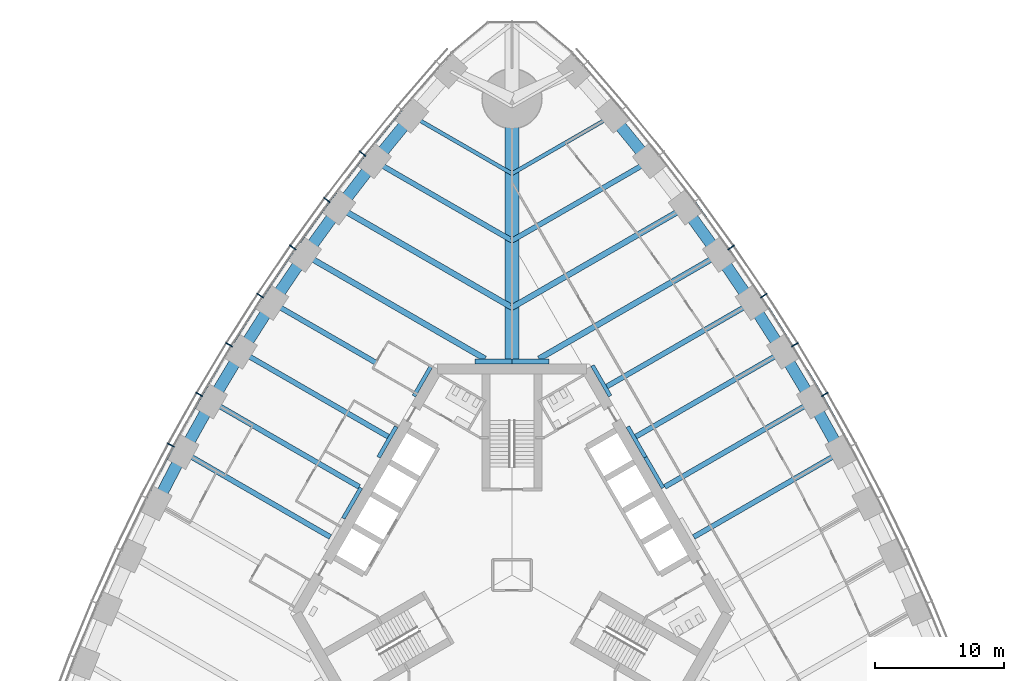
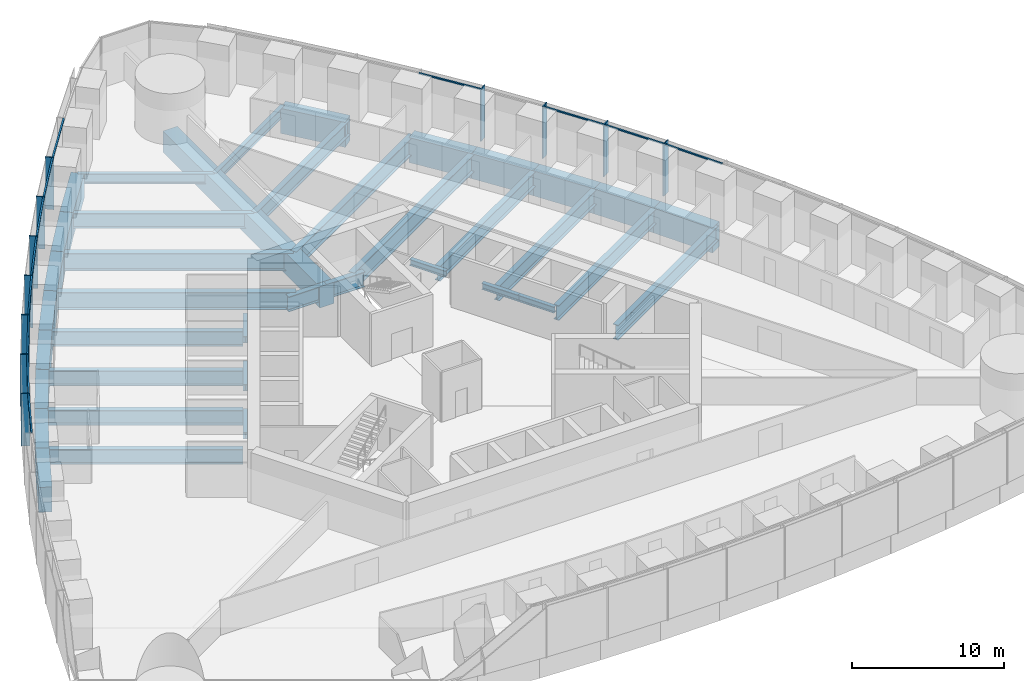
# One storey, part 4 of 18: 39 beams, 23 members, 2 elements without a shape of their own.
"""IFC4 building model written with IfcOpenShell, lengths in metres."""

import ifcopenshell
import ifcopenshell.guid

model = None  # the IFC model being written
_history = None  # IfcOwnerHistory: only IFC2X3 demands one
_inside = {}  # id of a spatial element -> (the spatial element, [elements in it])
_under = {}  # id of a project, library or spatial element -> (it, [spatial elements below it])
_declared = {}  # id of a project -> (the project, [libraries it declares])
_typed = {}  # id of a type object -> (the type object, [elements of that type])
_made_of = {}  # id of a material, layer set ... -> (it, [elements and type objects made of it])


def new_model(schema):
    """Start an empty IFC model of exactly this schema.

    Asked for "IFC4X3", IfcOpenShell would pick the latest addendum, in which some entities
    have other attributes; the version numbers below select the first issue.
    IFC2X3 requires an IfcOwnerHistory on every rooted entity: one is made here for all.
    """
    global model, _history
    if schema == "IFC4X3":
        model = ifcopenshell.file(schema_version=(4, 3, 0, 0))
    else:
        model = ifcopenshell.file(schema=schema)
    _inside.clear()
    _under.clear()
    _declared.clear()
    _typed.clear()
    _made_of.clear()
    _history = None
    if model.schema == "IFC2X3":
        org = make("IfcOrganization", Name="unknown")
        user = make(
            "IfcPersonAndOrganization",
            ThePerson=make("IfcPerson", FamilyName="unknown"),
            TheOrganization=org,
        )
        app = make(
            "IfcApplication",
            ApplicationDeveloper=org,
            Version="unknown",
            ApplicationFullName="unknown",
            ApplicationIdentifier="unknown",
        )
        _history = make(
            "IfcOwnerHistory",
            OwningUser=user,
            OwningApplication=app,
            ChangeAction="ADDED",
            CreationDate=0,
        )
    return model


def make(cls, **values):
    """One entity of the class cls with the attributes given. An attribute that is None is left unset."""
    return model.create_entity(
        cls, **{name: value for name, value in values.items() if value is not None}
    )


def rooted(cls, **values):
    """An entity with a GlobalId (a new one), such as an element, a storey or a relation."""
    return make(cls, GlobalId=ifcopenshell.guid.new(), OwnerHistory=_history, **values)


def si_unit(unit_type, name, prefix=None):
    """IfcSIUnit, for example si_unit("LENGTHUNIT", "METRE", prefix="MILLI")."""
    return make("IfcSIUnit", UnitType=unit_type, Prefix=prefix, Name=name)


def assignment(units):
    """IfcUnitAssignment: the units of a project."""
    return None if units is None else make("IfcUnitAssignment", Units=units)


def point(xyz):
    """IfcCartesianPoint."""
    return None if xyz is None else make("IfcCartesianPoint", Coordinates=xyz)


def direction(xyz):
    """IfcDirection."""
    return None if xyz is None else make("IfcDirection", DirectionRatios=xyz)


def frame(location, z_axis=None, x_axis=None):
    """IfcAxis2Placement3D, a coordinate frame: its origin and axes. An axis left out is left unset."""
    return make(
        "IfcAxis2Placement3D",
        Location=point(location),
        Axis=direction(z_axis),
        RefDirection=direction(x_axis),
    )


def frame_2d(location, x_axis=None):
    """IfcAxis2Placement2D, a coordinate frame in the plane: its origin and x axis."""
    return make(
        "IfcAxis2Placement2D", Location=point(location), RefDirection=direction(x_axis)
    )


def origin():
    """The frame at (0, 0, 0) with its axes left unset."""
    return frame((0.0, 0.0, 0.0))


def origin_2d():
    """The frame at (0, 0) in the plane with its x axis left unset."""
    return frame_2d((0.0, 0.0))


def place(relative_to, where):
    """IfcLocalPlacement: puts the frame where relative to a parent placement (None: the world)."""
    return make(
        "IfcLocalPlacement", PlacementRelTo=relative_to, RelativePlacement=where
    )


def context(
    kind, dimensions, precision=None, world=None, true_north=None, identifier=None
):
    """IfcGeometricRepresentationContext, for example the 3D "Model" context."""
    return make(
        "IfcGeometricRepresentationContext",
        ContextIdentifier=identifier,
        ContextType=kind,
        CoordinateSpaceDimension=dimensions,
        Precision=precision,
        WorldCoordinateSystem=world,
        TrueNorth=true_north,
    )


def subcontext(parent, identifier, kind, view, scale=None):
    """IfcGeometricRepresentationSubContext, for example "Body" below "Model"."""
    return make(
        "IfcGeometricRepresentationSubContext",
        ContextIdentifier=identifier,
        ContextType=kind,
        ParentContext=parent,
        TargetScale=scale,
        TargetView=view,
    )


def project(units=None, contexts=None):
    """IfcProject with its units and contexts."""
    return rooted(
        "IfcProject",
        Name="project",
        RepresentationContexts=contexts,
        UnitsInContext=assignment(units),
    )


def spatial(cls, under=None, at=None, **own):
    """A site, building, storey or space (cls), placed at a placement, below another one or the project."""
    s = rooted(cls, ObjectPlacement=at, **own)
    if under is not None:
        _under.setdefault(under.id(), (under, []))[1].append(s)
    return s


def profile(cls, at=None, kind="AREA", **sizes):
    """A parametric profile (cls). Its sizes go by their IFC names, for example OverallWidth=200.0."""
    return make(cls, ProfileType=kind, Position=at, **sizes)


def rectangle(**sizes):
    """IfcRectangleProfileDef."""
    return profile("IfcRectangleProfileDef", **sizes)


def i_section(**sizes):
    """IfcIShapeProfileDef."""
    return profile("IfcIShapeProfileDef", **sizes)


def extrude(swept, where, along, depth):
    """IfcExtrudedAreaSolid: the profile swept, set in the frame where, extruded along a direction by depth."""
    return make(
        "IfcExtrudedAreaSolid",
        SweptArea=swept,
        Position=where,
        ExtrudedDirection=direction(along),
        Depth=depth,
    )


def shape(context_of_items, identifier, shape_type, items):
    """IfcShapeRepresentation: the items that make up one representation, for example the "Body"."""
    return make(
        "IfcShapeRepresentation",
        ContextOfItems=context_of_items,
        RepresentationIdentifier=identifier,
        RepresentationType=shape_type,
        Items=items,
    )


def material(Name=None, Category=None):
    """IfcMaterial."""
    return make("IfcMaterial", Name=Name, Category=Category)


def material_profile(
    of_material, cross_section, Name=None, Category=None, Priority=None
):
    """IfcMaterialProfile: a cross section and its material."""
    return make(
        "IfcMaterialProfile",
        Name=Name,
        Material=of_material,
        Profile=cross_section,
        Priority=Priority,
        Category=Category,
    )


def profile_set(profiles, Name=None, composite=None):
    """IfcMaterialProfileSet."""
    return make(
        "IfcMaterialProfileSet",
        Name=Name,
        MaterialProfiles=profiles,
        CompositeProfile=composite,
    )


def made_of(thing, what):
    """Note that an element or type object is made of a material, layer set ...; save() writes the relation."""
    if what is not None:
        _made_of.setdefault(what.id(), (what, []))[1].append(thing)
    return thing


def type_object(cls, material=None, **own):
    """A type object (cls), such as IfcWallType, which elements share."""
    return made_of(rooted(cls, **own), material)


def element(
    cls,
    number,
    at=None,
    inside=None,
    cuts=None,
    type_object=None,
    material=None,
    context=None,
    identifier="Body",
    shape_type=None,
    held_by="IfcProductDefinitionShape",
    body=None,
    shapes=None,
    **own,
):
    """One element of the class cls, such as IfcWall. Its Tag is "e" and its number.

    at: its placement. inside: the storey or other place that contains it. cuts: it is an
    opening in that element (IfcRelVoidsElement). A single representation is given by context,
    identifier, shape_type and body (its items); several are given by shapes. held_by: the class
    of the entity that holds the representations. save() writes the other relations.
    """
    e = rooted(cls, Tag="e%d" % number, ObjectPlacement=at, **own)
    if body is not None:
        shapes = [shape(context, identifier, shape_type, body)]
    if shapes is not None:
        e.Representation = make(held_by, Representations=shapes)
    if inside is not None:
        _inside.setdefault(inside.id(), (inside, []))[1].append(e)
    if cuts is not None:
        rooted(
            "IfcRelVoidsElement", RelatingBuildingElement=cuts, RelatedOpeningElement=e
        )
    if type_object is not None:
        _typed.setdefault(type_object.id(), (type_object, []))[1].append(e)
    return made_of(e, material)


def aggregate(whole, parts):
    """IfcRelAggregates: a whole, such as a stair, and the parts it consists of."""
    return rooted("IfcRelAggregates", RelatingObject=whole, RelatedObjects=parts)


def save(model, path):
    """Write the relations noted so far, then the file.

    IfcRelAggregates (storeys below a building ...), IfcRelContainedInSpatialStructure (elements
    in a storey), IfcRelDefinesByType, IfcRelAssociatesMaterial and IfcRelDeclares: one each for
    every whole, place, type object, material and project.
    """
    for whole, parts in _under.values():
        aggregate(whole, parts)
    for where, things in _inside.values():
        rooted(
            "IfcRelContainedInSpatialStructure",
            RelatedElements=things,
            RelatingStructure=where,
        )
    for kind, things in _typed.values():
        rooted("IfcRelDefinesByType", RelatedObjects=things, RelatingType=kind)
    for what, things in _made_of.values():
        rooted("IfcRelAssociatesMaterial", RelatedObjects=things, RelatingMaterial=what)
    for by, libraries in _declared.values():
        rooted("IfcRelDeclares", RelatingContext=by, RelatedDefinitions=libraries)
    model.write(path)


model = new_model("IFC4")

# Units and contexts
model_context = context("Model", 3, precision=1e-05, world=origin(), true_north=direction((0.0, 1.0)))
body_context = subcontext(model_context, "Body", "Model", "MODEL_VIEW")
ifc_project = project(units=[si_unit("LENGTHUNIT", "METRE"), si_unit("AREAUNIT", "SQUARE_METRE"), si_unit("VOLUMEUNIT", "CUBIC_METRE"), si_unit("PLANEANGLEUNIT", "RADIAN"), si_unit("MASSUNIT", "GRAM", prefix="KILO")], contexts=[model_context])

# Site, building, storey
site_placement = place(None, origin())
site = spatial("IfcSite", under=ifc_project, at=site_placement, CompositionType="ELEMENT")
building_placement = place(site_placement, origin())
building = spatial("IfcBuilding", under=site, at=building_placement, Name="Trefoil Bronze Tower", CompositionType="ELEMENT")
storey_placement = place(building_placement, frame((0.0, 0.0, 62.699951171875)))
storey = spatial("IfcBuildingStorey", under=building, at=storey_placement, Name="L14", CompositionType="ELEMENT", Elevation=62.699951171875)

# Curtain wall, members
ifc_material_1 = material(Name="Tinted solar-control glass", Category="glass")
curtain_wall_type = type_object("IfcCurtainWallType", Name="Bronze office curtain wall", PredefinedType="USERDEFINED", material=ifc_material_1)
curtain_wall_1_placement = place(storey_placement, origin())
curtain_wall_1 = element("IfcCurtainWall", 1, at=curtain_wall_1_placement, inside=storey, type_object=curtain_wall_type, Name="CW-A L14 F2", ObjectType="CURTAIN WALL", PredefinedType="USERDEFINED")
ifc_material_2 = material(Name="Bronze-finish aluminium", Category="aluminium")
ifc_material_profile_1 = material_profile(ifc_material_2, rectangle(XDim=0.60009765625, YDim=0.080078125, at=origin_2d()), Name="CW-A mullion")
ifc_profile_set_1 = profile_set([ifc_material_profile_1], Name="Bronze-finish aluminium")
member_type_1 = type_object("IfcMemberType", Name="Bronze office curtain wall mullion", PredefinedType="MULLION", material=ifc_profile_set_1)
member_1_placement = place(storey_placement, frame((24.291015625, 14.0244140625, 0.0), z_axis=(0.0, 0.0, 1.0), x_axis=(-0.866025403784, -0.5, 0.0)))
member_1 = element("IfcMember", 2, at=member_1_placement, type_object=member_type_1, Name="CW-A L14 F2 mullion 9", PredefinedType="MULLION", context=body_context, shape_type="SweptSolid", body=[
    extrude(rectangle(XDim=0.60009765625, YDim=0.080078125, at=origin_2d()), origin(), (0.0, 0.0, 1.0), 4.179931640625),
])
member_2_placement = place(storey_placement, frame((21.97998046875, 17.896240234375, 0.0), z_axis=(0.0, 0.0, 1.0), x_axis=(-0.851149783004, -0.524922896141, 0.0)))
member_2 = element("IfcMember", 3, at=member_2_placement, type_object=member_type_1, Name="CW-A L14 F2 mullion 10", PredefinedType="MULLION", context=body_context, shape_type="SweptSolid", body=[
    extrude(rectangle(XDim=0.60009765625, YDim=0.080078125, at=origin_2d()), origin(), (0.0, 0.0, 1.0), 4.179931640625),
])
member_3_placement = place(storey_placement, frame((19.555419921875, 21.70263671875, 0.0), z_axis=(0.0, 0.0, 1.0), x_axis=(-0.835543651684, -0.549424067665, 0.0)))
member_3 = element("IfcMember", 4, at=member_3_placement, type_object=member_type_1, Name="CW-A L14 F2 mullion 11", PredefinedType="MULLION", context=body_context, shape_type="SweptSolid", body=[
    extrude(rectangle(XDim=0.60009765625, YDim=0.080078125, at=origin_2d()), origin(), (0.0, 0.0, 1.0), 4.179931640625),
])
member_4_placement = place(storey_placement, frame((17.01708984375, 25.443359375, 0.0), z_axis=(0.0, 0.0, 1.0), x_axis=(-0.819204207116, -0.573501932903, 0.0)))
member_4 = element("IfcMember", 5, at=member_4_placement, type_object=member_type_1, Name="CW-A L14 F2 mullion 12", PredefinedType="MULLION", context=body_context, shape_type="SweptSolid", body=[
    extrude(rectangle(XDim=0.60009765625, YDim=0.080078125, at=origin_2d()), origin(), (0.0, 0.0, 1.0), 4.179931640625),
])

curtain_wall_2_placement = place(storey_placement, origin())
curtain_wall_2 = element("IfcCurtainWall", 6, at=curtain_wall_2_placement, inside=storey, type_object=curtain_wall_type, Name="CW-A L14 F3", ObjectType="CURTAIN WALL", PredefinedType="USERDEFINED")
member_5_placement = place(storey_placement, frame((-11.595458984375, 32.7255859375, 0.0), z_axis=(0.0, 0.0, 1.0), x_axis=(0.784304615744, -0.620375910011, 0.0)))
member_5 = element("IfcMember", 7, at=member_5_placement, type_object=member_type_1, Name="CW-A L14 F3 mullion 4", PredefinedType="MULLION", context=body_context, shape_type="SweptSolid", body=[
    extrude(rectangle(XDim=0.60009765625, YDim=0.080078125, at=origin_2d()), origin(), (0.0, 0.0, 1.0), 4.179931640625),
])
member_6_placement = place(storey_placement, frame((-14.364013671875, 29.117919921875, 0.0), z_axis=(0.0, 0.0, 1.0), x_axis=(0.802126748469, -0.59715381552, 0.0)))
member_6 = element("IfcMember", 8, at=member_6_placement, type_object=member_type_1, Name="CW-A L14 F3 mullion 5", PredefinedType="MULLION", context=body_context, shape_type="SweptSolid", body=[
    extrude(rectangle(XDim=0.60009765625, YDim=0.080078125, at=origin_2d()), origin(), (0.0, 0.0, 1.0), 4.179931640625),
])
member_7_placement = place(storey_placement, frame((-17.01708984375, 25.443359375, 0.0), z_axis=(0.0, 0.0, 1.0), x_axis=(0.819204207116, -0.573501932903, 0.0)))
member_7 = element("IfcMember", 9, at=member_7_placement, type_object=member_type_1, Name="CW-A L14 F3 mullion 6", PredefinedType="MULLION", context=body_context, shape_type="SweptSolid", body=[
    extrude(rectangle(XDim=0.60009765625, YDim=0.080078125, at=origin_2d()), origin(), (0.0, 0.0, 1.0), 4.179931640625),
])
member_8_placement = place(storey_placement, frame((-19.555419921875, 21.70263671875, 0.0), z_axis=(0.0, 0.0, 1.0), x_axis=(0.835543651684, -0.549424067665, 0.0)))
member_8 = element("IfcMember", 10, at=member_8_placement, type_object=member_type_1, Name="CW-A L14 F3 mullion 7", PredefinedType="MULLION", context=body_context, shape_type="SweptSolid", body=[
    extrude(rectangle(XDim=0.60009765625, YDim=0.080078125, at=origin_2d()), origin(), (0.0, 0.0, 1.0), 4.179931640625),
])
member_9_placement = place(storey_placement, frame((-21.97998046875, 17.896240234375, 0.0), z_axis=(0.0, 0.0, 1.0), x_axis=(0.851149783004, -0.524922896141, 0.0)))
member_9 = element("IfcMember", 11, at=member_9_placement, type_object=member_type_1, Name="CW-A L14 F3 mullion 8", PredefinedType="MULLION", context=body_context, shape_type="SweptSolid", body=[
    extrude(rectangle(XDim=0.60009765625, YDim=0.080078125, at=origin_2d()), origin(), (0.0, 0.0, 1.0), 4.179931640625),
])
member_10_placement = place(storey_placement, frame((-24.291015625, 14.0244140625, 0.0), z_axis=(0.0, 0.0, 1.0), x_axis=(0.866025403784, -0.5, 0.0)))
member_10 = element("IfcMember", 12, at=member_10_placement, type_object=member_type_1, Name="CW-A L14 F3 mullion 9", PredefinedType="MULLION", context=body_context, shape_type="SweptSolid", body=[
    extrude(rectangle(XDim=0.60009765625, YDim=0.080078125, at=origin_2d()), origin(), (0.0, 0.0, 1.0), 4.179931640625),
])
member_11_placement = place(storey_placement, frame((-26.488525390625, 10.0869140625, 0.0), z_axis=(0.0, 0.0, 1.0), x_axis=(0.880171454588, -0.474655886437, 0.0)))
member_11 = element("IfcMember", 13, at=member_11_placement, type_object=member_type_1, Name="CW-A L14 F3 mullion 10", PredefinedType="MULLION", context=body_context, shape_type="SweptSolid", body=[
    extrude(rectangle(XDim=0.60009765625, YDim=0.080078125, at=origin_2d()), origin(), (0.0, 0.0, 1.0), 4.179931640625),
])

# Member
ifc_material_3 = material(Name="Bronze-finish aluminium", Category="aluminium")
ifc_material_profile_2 = material_profile(ifc_material_3, rectangle(XDim=0.1201171875, YDim=0.10009765625, at=origin_2d()), Name="CW-A transom")
ifc_profile_set_2 = profile_set([ifc_material_profile_2], Name="Bronze-finish aluminium")
member_type_2 = type_object("IfcMemberType", Name="Bronze office curtain wall transom", PredefinedType="USERDEFINED", material=ifc_profile_set_2)
member_12_placement = place(storey_placement, frame((26.29248046875, 10.0283203125, 4.130126953125), z_axis=(-0.487400435348, 0.873178570295, 0.0), x_axis=(-0.873178570295, -0.487400435348, 0.0)))
member_12 = element("IfcMember", 14, at=member_12_placement, type_object=member_type_2, Name="CW-A L14 F2 transom 8", ObjectType="TRANSOM", PredefinedType="USERDEFINED", context=body_context, shape_type="SweptSolid", body=[
    extrude(rectangle(XDim=0.1201171875, YDim=0.10009765625, at=origin_2d()), origin(), (0.0, 0.0, 1.0), 4.42041015625),
])

member_13_placement = place(storey_placement, frame((24.096435546875, 13.9599609375, 4.130126953125), z_axis=(-0.512536988879, 0.858665147209, 0.0), x_axis=(-0.858665147209, -0.512536988879, 0.0)))
member_13 = element("IfcMember", 15, at=member_13_placement, type_object=member_type_2, Name="CW-A L14 F2 transom 9", ObjectType="TRANSOM", PredefinedType="USERDEFINED", context=body_context, shape_type="SweptSolid", body=[
    extrude(rectangle(XDim=0.1201171875, YDim=0.10009765625, at=origin_2d()), origin(), (0.0, 0.0, 1.0), 4.42041015625),
])

member_14_placement = place(storey_placement, frame((21.787353515625, 17.826171875, 4.130126953125), z_axis=(-0.537196807268, 0.843456928515, 0.0), x_axis=(-0.843456928515, -0.537196807268, 0.0)))
member_14 = element("IfcMember", 16, at=member_14_placement, type_object=member_type_2, Name="CW-A L14 F2 transom 10", ObjectType="TRANSOM", PredefinedType="USERDEFINED", context=body_context, shape_type="SweptSolid", body=[
    extrude(rectangle(XDim=0.1201171875, YDim=0.10009765625, at=origin_2d()), origin(), (0.0, 0.0, 1.0), 4.42431640625),
])

member_15_placement = place(storey_placement, frame((16.828857421875, 25.3623046875, 4.130126953125), z_axis=(-0.585378207433, 0.81076035563, 0.0), x_axis=(-0.81076035563, -0.585378207433, 0.0)))
member_15 = element("IfcMember", 17, at=member_15_placement, type_object=member_type_2, Name="CW-A L14 F2 transom 12", ObjectType="TRANSOM", PredefinedType="USERDEFINED", context=body_context, shape_type="SweptSolid", body=[
    extrude(rectangle(XDim=0.1201171875, YDim=0.10009765625, at=origin_2d()), origin(), (0.0, 0.0, 1.0), 4.443359375),
])

aggregate(curtain_wall_1, [member_1, member_2, member_3, member_4, member_12, member_13, member_14, member_15])

member_16_placement = place(storey_placement, frame((-8.582763671875, 36.10498046875, 4.130126953125), z_axis=(-0.631835540201, -0.775102477185, 0.0), x_axis=(0.775102477185, -0.631835540201, 0.0)))
member_16 = element("IfcMember", 18, at=member_16_placement, type_object=member_type_2, Name="CW-A L14 F3 transom 3", ObjectType="TRANSOM", PredefinedType="USERDEFINED", context=body_context, shape_type="SweptSolid", body=[
    extrude(rectangle(XDim=0.1201171875, YDim=0.10009765625, at=origin_2d()), origin(), (0.0, 0.0, 1.0), 4.478271484375),
])

member_17_placement = place(storey_placement, frame((-11.4638671875, 32.568603515625, 4.130126953125), z_axis=(-0.608829203216, -0.793301330713, 0.0), x_axis=(0.793301330713, -0.608829203216, 0.0)))
member_17 = element("IfcMember", 19, at=member_17_placement, type_object=member_type_2, Name="CW-A L14 F3 transom 4", ObjectType="TRANSOM", PredefinedType="USERDEFINED", context=body_context, shape_type="SweptSolid", body=[
    extrude(rectangle(XDim=0.1201171875, YDim=0.10009765625, at=origin_2d()), origin(), (0.0, 0.0, 1.0), 4.458740234375),
])

member_18_placement = place(storey_placement, frame((-14.227783203125, 28.96484375, 4.130126953125), z_axis=(-0.585378207433, -0.81076035563, 0.0), x_axis=(0.81076035563, -0.585378207433, 0.0)))
member_18 = element("IfcMember", 20, at=member_18_placement, type_object=member_type_2, Name="CW-A L14 F3 transom 5", ObjectType="TRANSOM", PredefinedType="USERDEFINED", context=body_context, shape_type="SweptSolid", body=[
    extrude(rectangle(XDim=0.1201171875, YDim=0.10009765625, at=origin_2d()), origin(), (0.0, 0.0, 1.0), 4.443359375),
])

member_19_placement = place(storey_placement, frame((-16.87646484375, 25.29443359375, 4.130126953125), z_axis=(-0.561508153923, -0.827471203775, 0.0), x_axis=(0.827471203775, -0.561508153923, 0.0)))
member_19 = element("IfcMember", 21, at=member_19_placement, type_object=member_type_2, Name="CW-A L14 F3 transom 6", ObjectType="TRANSOM", PredefinedType="USERDEFINED", context=body_context, shape_type="SweptSolid", body=[
    extrude(rectangle(XDim=0.1201171875, YDim=0.10009765625, at=origin_2d()), origin(), (0.0, 0.0, 1.0), 4.431884765625),
])

member_20_placement = place(storey_placement, frame((-19.41064453125, 21.557861328125, 4.130126953125), z_axis=(-0.537196807268, -0.843456928515, 0.0), x_axis=(0.843456928515, -0.537196807268, 0.0)))
member_20 = element("IfcMember", 22, at=member_20_placement, type_object=member_type_2, Name="CW-A L14 F3 transom 7", ObjectType="TRANSOM", PredefinedType="USERDEFINED", context=body_context, shape_type="SweptSolid", body=[
    extrude(rectangle(XDim=0.1201171875, YDim=0.10009765625, at=origin_2d()), origin(), (0.0, 0.0, 1.0), 4.42431640625),
])

member_21_placement = place(storey_placement, frame((-21.830810546875, 17.755615234375, 4.130126953125), z_axis=(-0.512536988879, -0.858665147209, 0.0), x_axis=(0.858665147209, -0.512536988879, 0.0)))
member_21 = element("IfcMember", 23, at=member_21_placement, type_object=member_type_2, Name="CW-A L14 F3 transom 8", ObjectType="TRANSOM", PredefinedType="USERDEFINED", context=body_context, shape_type="SweptSolid", body=[
    extrude(rectangle(XDim=0.1201171875, YDim=0.10009765625, at=origin_2d()), origin(), (0.0, 0.0, 1.0), 4.42041015625),
])

member_22_placement = place(storey_placement, frame((-24.137939453125, 13.88818359375, 4.130126953125), z_axis=(-0.487400435348, -0.873178570295, 0.0), x_axis=(0.873178570295, -0.487400435348, 0.0)))
member_22 = element("IfcMember", 24, at=member_22_placement, type_object=member_type_2, Name="CW-A L14 F3 transom 9", ObjectType="TRANSOM", PredefinedType="USERDEFINED", context=body_context, shape_type="SweptSolid", body=[
    extrude(rectangle(XDim=0.1201171875, YDim=0.10009765625, at=origin_2d()), origin(), (0.0, 0.0, 1.0), 4.42041015625),
])

member_23_placement = place(storey_placement, frame((-26.331787109375, 9.955322265625, 4.130126953125), z_axis=(-0.461809621225, -0.886979071762, 0.0), x_axis=(0.886979071762, -0.461809621225, 0.0)))
member_23 = element("IfcMember", 25, at=member_23_placement, type_object=member_type_2, Name="CW-A L14 F3 transom 10", ObjectType="TRANSOM", PredefinedType="USERDEFINED", context=body_context, shape_type="SweptSolid", body=[
    extrude(rectangle(XDim=0.1201171875, YDim=0.10009765625, at=origin_2d()), origin(), (0.0, 0.0, 1.0), 4.42431640625),
])

aggregate(curtain_wall_2, [member_5, member_6, member_7, member_8, member_9, member_10, member_11, member_16, member_17, member_18, member_19, member_20, member_21, member_22, member_23])

# Beams
ifc_material_4 = material(Name="Steel C355", Category="steel")
ifc_material_profile_3 = material_profile(ifc_material_4, i_section(OverallWidth=0.300048828125, OverallDepth=0.5, WebThickness=0.014404296875, FlangeThickness=0.028076171875, FilletRadius=0.027099609375, at=origin_2d()), Name="HEB 500")
ifc_profile_set_3 = profile_set([ifc_material_profile_3], Name="Steel C355")
beam_type_1 = type_object("IfcBeamType", Name="Core seat beam HEB 500", PredefinedType="BEAM", material=ifc_profile_set_3)
for number, where, z_axis, x_axis, name in (
    (26, (11.734619140625, 6.77490234375, -0.449951171875), (-0.499969057507, 0.866043267704, 0.0), (-0.866043267704, -0.499969057507, 0.0), "Core seat beam F2/+0 L14"),
    (27, (10.363525390625, 9.14990234375, -0.449951171875), (-0.500035825175, 0.866004719122, 0.0), (-0.866004719122, -0.500035825175, 0.0), "Core seat beam F2/+1 L14"),
    (28, (7.62109375, 13.89990234375, -0.449951171875), (-0.500035825175, 0.866004719122, 0.0), (-0.866004719122, -0.500035825175, 0.0), "Core seat beam F2/+2 L14"),
    (29, (-6.249755859375, 16.27490234375, -0.449951171875), (-0.500035825175, -0.866004719122, 0.0), (0.866004719122, -0.500035825175, 0.0), "Core seat beam F3/-2 L14"),
    (30, (-8.9921875, 11.52490234375, -0.449951171875), (-0.500035825175, -0.866004719122, 0.0), (0.866004719122, -0.500035825175, 0.0), "Core seat beam F3/-1 L14"),
    (31, (-11.734619140625, 6.77490234375, -0.449951171875), (-0.500035825175, -0.866004719122, 0.0), (0.866004719122, -0.500035825175, 0.0), "Core seat beam F3/+0 L14"),
):
    element("IfcBeam", number, at=place(storey_placement, frame(where, z_axis=z_axis, x_axis=x_axis)), inside=storey, type_object=beam_type_1, Name=name, PredefinedType="BEAM", context=body_context, shape_type="SweptSolid", body=[
        extrude(i_section(OverallWidth=0.300048828125, OverallDepth=0.5, WebThickness=0.014404296875, FlangeThickness=0.028076171875, FilletRadius=0.027099609375, at=origin_2d()), origin(), (0.0, 0.0, 1.0), 2.742431640625),
    ])
ifc_material_5 = material(Name="Steel C355", Category="steel")
ifc_material_profile_4 = material_profile(ifc_material_5, i_section(OverallWidth=0.39990234375, OverallDepth=1.199951171875, WebThickness=0.02001953125, FlangeThickness=0.0400390625, FilletRadius=0.010009765625, at=origin_2d()), Name="WPG 1200")
ifc_profile_set_4 = profile_set([ifc_material_profile_4], Name="Steel C355")
beam_type_2 = type_object("IfcBeamType", Name="Core seat beam WPG 1200", PredefinedType="BEAM", material=ifc_profile_set_4)
for number, where, z_axis, x_axis, name in (
    (32, (2.88671875, 16.60009765625, -0.800048828125), (-1.0, 0.0, 0.0), (0.0, -1.0, 0.0), "Core seat beam F2/+3 L14"),
    (33, (0.0, 16.60009765625, -0.800048828125), (-1.0, 0.0, 0.0), (0.0, -1.0, 0.0), "Core seat beam F3/-3 L14"),
):
    element("IfcBeam", number, at=place(storey_placement, frame(where, z_axis=z_axis, x_axis=x_axis)), inside=storey, type_object=beam_type_2, Name=name, PredefinedType="BEAM", context=body_context, shape_type="SweptSolid", body=[
        extrude(i_section(OverallWidth=0.39990234375, OverallDepth=1.199951171875, WebThickness=0.02001953125, FlangeThickness=0.0400390625, FilletRadius=0.010009765625, at=origin_2d()), origin(), (0.0, 0.0, 1.0), 2.88671875),
    ])
ifc_material_6 = material(Name="Concrete B80", Category="concrete")
ifc_material_profile_5 = material_profile(ifc_material_6, rectangle(XDim=1.10009765625, YDim=1.699951171875, at=origin_2d()), Name="RC 1100x1700")
ifc_profile_set_5 = profile_set([ifc_material_profile_5], Name="Concrete B80")
beam_type_3 = type_object("IfcBeamType", Name="Corner girder RC 1100x1700", PredefinedType="BEAM", material=ifc_profile_set_5)
beam_1_placement = place(storey_placement, frame((0.0, 16.39990234375, -1.050048828125), z_axis=(0.0, 1.0, 0.0), x_axis=(-1.0, 0.0, 0.0)))
element("IfcBeam", 34, at=beam_1_placement, inside=storey, type_object=beam_type_3, Name="Corner girder K2 L14", PredefinedType="BEAM", context=body_context, shape_type="SweptSolid", body=[
    extrude(rectangle(XDim=1.10009765625, YDim=1.699951171875, at=origin_2d()), origin(), (0.0, 0.0, 1.0), 20.60009765625),
])
ifc_material_7 = material(Name="Steel C355", Category="steel")
ifc_material_profile_6 = material_profile(ifc_material_7, i_section(OverallWidth=0.300048828125, OverallDepth=0.800048828125, WebThickness=0.017578125, FlangeThickness=0.032958984375, FilletRadius=0.030029296875, at=origin_2d()), Name="HEB 800")
ifc_profile_set_6 = profile_set([ifc_material_profile_6], Name="Steel C355")
beam_type_4 = type_object("IfcBeamType", Name="Floor beam HEB 800", PredefinedType="BEAM", material=ifc_profile_set_6)
for number, where, z_axis, x_axis, name in (
    (35, (7.7763671875, 35.666748046875, -0.599853515625), (-0.866022587327, -0.500004878216, 0.0), (0.500004878216, -0.866022587327, 0.0), "Floor beam F2/+6 L14"),
    (36, (-7.7763671875, 35.666748046875, -0.599853515625), (0.866022587327, -0.500004878216, 0.0), (0.500004878216, 0.866022587327, 0.0), "Floor beam F3/-6 L14"),
):
    element("IfcBeam", number, at=place(storey_placement, frame(where, z_axis=z_axis, x_axis=x_axis)), inside=storey, type_object=beam_type_4, Name=name, PredefinedType="BEAM", context=body_context, shape_type="SweptSolid", body=[
        extrude(i_section(OverallWidth=0.300048828125, OverallDepth=0.800048828125, WebThickness=0.017578125, FlangeThickness=0.032958984375, FilletRadius=0.030029296875, at=origin_2d()), origin(), (0.0, 0.0, 1.0), 8.9794921875),
    ])
ifc_material_8 = material(Name="Steel C355", Category="steel")
ifc_material_profile_7 = material_profile(ifc_material_8, i_section(OverallWidth=0.39990234375, OverallDepth=1.199951171875, WebThickness=0.02001953125, FlangeThickness=0.0400390625, FilletRadius=0.010009765625, at=origin_2d()), Name="WPG 1200")
ifc_profile_set_7 = profile_set([ifc_material_profile_7], Name="Steel C355")
beam_type_5 = type_object("IfcBeamType", Name="Floor beam WPG 1200", PredefinedType="BEAM", material=ifc_profile_set_7)
beam_2_placement = place(storey_placement, frame((25.531494140625, 9.54443359375, -0.800048828125), z_axis=(-0.866027071639, -0.499997111179, 0.0), x_axis=(0.499997111179, -0.866027071639, 0.0)))
element("IfcBeam", 37, at=beam_2_placement, inside=storey, type_object=beam_type_5, Name="Floor beam F2/-1 L14", PredefinedType="BEAM", context=body_context, shape_type="SweptSolid", body=[
    extrude(i_section(OverallWidth=0.39990234375, OverallDepth=1.199951171875, WebThickness=0.02001953125, FlangeThickness=0.0400390625, FilletRadius=0.010009765625, at=origin_2d()), origin(), (0.0, 0.0, 1.0), 13.18310546875),
])
beam_3_placement = place(storey_placement, frame((23.33837890625, 13.474365234375, -0.800048828125), z_axis=(-0.866031233401, -0.499989902672, 0.0), x_axis=(0.499989902672, -0.866031233401, 0.0)))
element("IfcBeam", 38, at=beam_3_placement, inside=storey, type_object=beam_type_5, Name="Floor beam F2/+0 L14", PredefinedType="BEAM", context=body_context, shape_type="SweptSolid", body=[
    extrude(i_section(OverallWidth=0.39990234375, OverallDepth=1.199951171875, WebThickness=0.02001953125, FlangeThickness=0.0400390625, FilletRadius=0.010009765625, at=origin_2d()), origin(), (0.0, 0.0, 1.0), 13.248779296875),
])
beam_4_placement = place(storey_placement, frame((21.031494140625, 17.338623046875, -0.800048828125), z_axis=(-0.866027071639, -0.499997111179, 0.0), x_axis=(0.499997111179, -0.866027071639, 0.0)))
element("IfcBeam", 39, at=beam_4_placement, inside=storey, type_object=beam_type_5, Name="Floor beam F2/+1 L14", PredefinedType="BEAM", context=body_context, shape_type="SweptSolid", body=[
    extrude(i_section(OverallWidth=0.39990234375, OverallDepth=1.199951171875, WebThickness=0.02001953125, FlangeThickness=0.0400390625, FilletRadius=0.010009765625, at=origin_2d()), origin(), (0.0, 0.0, 1.0), 13.18310546875),
])
beam_5_placement = place(storey_placement, frame((18.61083984375, 21.13720703125, -0.800048828125), z_axis=(-0.866030615021, -0.499990973765, 0.0), x_axis=(0.499990973765, -0.866030615021, 0.0)))
element("IfcBeam", 40, at=beam_5_placement, inside=storey, type_object=beam_type_5, Name="Floor beam F2/+2 L14", PredefinedType="BEAM", context=body_context, shape_type="SweptSolid", body=[
    extrude(i_section(OverallWidth=0.39990234375, OverallDepth=1.199951171875, WebThickness=0.02001953125, FlangeThickness=0.0400390625, FilletRadius=0.010009765625, at=origin_2d()), origin(), (0.0, 0.0, 1.0), 12.986083984375),
])
for number, where, z_axis, x_axis, name in (
    (41, (10.659912109375, 32.13525390625, -0.800048828125), (-0.866024070878, -0.500002308654, 0.0), (0.500002308654, -0.866024070878, 0.0), "Floor beam F2/+5 L14"),
    (42, (-10.659912109375, 32.13525390625, -0.800048828125), (0.866024070878, -0.500002308654, 0.0), (0.500002308654, 0.866024070878, 0.0), "Floor beam F3/-5 L14"),
):
    element("IfcBeam", number, at=place(storey_placement, frame(where, z_axis=z_axis, x_axis=x_axis)), inside=storey, type_object=beam_type_5, Name=name, PredefinedType="BEAM", context=body_context, shape_type="SweptSolid", body=[
        extrude(i_section(OverallWidth=0.39990234375, OverallDepth=1.199951171875, WebThickness=0.02001953125, FlangeThickness=0.0400390625, FilletRadius=0.010009765625, at=origin_2d()), origin(), (0.0, 0.0, 1.0), 12.30908203125),
    ])
beam_6_placement = place(storey_placement, frame((-18.61083984375, 21.13720703125, -0.800048828125), z_axis=(0.866030615021, -0.499990973765, 0.0), x_axis=(0.499990973765, 0.866030615021, 0.0)))
element("IfcBeam", 43, at=beam_6_placement, inside=storey, type_object=beam_type_5, Name="Floor beam F3/-2 L14", PredefinedType="BEAM", context=body_context, shape_type="SweptSolid", body=[
    extrude(i_section(OverallWidth=0.39990234375, OverallDepth=1.199951171875, WebThickness=0.02001953125, FlangeThickness=0.0400390625, FilletRadius=0.010009765625, at=origin_2d()), origin(), (0.0, 0.0, 1.0), 12.986083984375),
])
beam_7_placement = place(storey_placement, frame((-21.031494140625, 17.338623046875, -0.800048828125), z_axis=(0.866027071639, -0.499997111179, 0.0), x_axis=(0.499997111179, 0.866027071639, 0.0)))
element("IfcBeam", 44, at=beam_7_placement, inside=storey, type_object=beam_type_5, Name="Floor beam F3/-1 L14", PredefinedType="BEAM", context=body_context, shape_type="SweptSolid", body=[
    extrude(i_section(OverallWidth=0.39990234375, OverallDepth=1.199951171875, WebThickness=0.02001953125, FlangeThickness=0.0400390625, FilletRadius=0.010009765625, at=origin_2d()), origin(), (0.0, 0.0, 1.0), 13.18310546875),
])
beam_8_placement = place(storey_placement, frame((-23.33837890625, 13.474365234375, -0.800048828125), z_axis=(0.866031233401, -0.499989902672, 0.0), x_axis=(0.499989902672, 0.866031233401, 0.0)))
element("IfcBeam", 45, at=beam_8_placement, inside=storey, type_object=beam_type_5, Name="Floor beam F3/+0 L14", PredefinedType="BEAM", context=body_context, shape_type="SweptSolid", body=[
    extrude(i_section(OverallWidth=0.39990234375, OverallDepth=1.199951171875, WebThickness=0.02001953125, FlangeThickness=0.0400390625, FilletRadius=0.010009765625, at=origin_2d()), origin(), (0.0, 0.0, 1.0), 13.248779296875),
])
beam_9_placement = place(storey_placement, frame((-25.531494140625, 9.54443359375, -0.800048828125), z_axis=(0.866027071639, -0.499997111179, 0.0), x_axis=(0.499997111179, 0.866027071639, 0.0)))
element("IfcBeam", 46, at=beam_9_placement, inside=storey, type_object=beam_type_5, Name="Floor beam F3/+1 L14", PredefinedType="BEAM", context=body_context, shape_type="SweptSolid", body=[
    extrude(i_section(OverallWidth=0.39990234375, OverallDepth=1.199951171875, WebThickness=0.02001953125, FlangeThickness=0.0400390625, FilletRadius=0.010009765625, at=origin_2d()), origin(), (0.0, 0.0, 1.0), 13.18310546875),
])
ifc_material_9 = material(Name="Steel C355", Category="steel")
ifc_material_profile_8 = material_profile(ifc_material_9, i_section(OverallWidth=0.449951171875, OverallDepth=1.39990234375, WebThickness=0.02294921875, FlangeThickness=0.044921875, FilletRadius=0.011962890625, at=origin_2d()), Name="WPG 1400")
ifc_profile_set_8 = profile_set([ifc_material_profile_8], Name="Steel C355")
beam_type_6 = type_object("IfcBeamType", Name="Floor beam WPG 1400", PredefinedType="BEAM", material=ifc_profile_set_8)
beam_10_placement = place(storey_placement, frame((16.075927734375, 24.869873046875, -0.89990234375), z_axis=(-0.866028401131, -0.499994808408, 0.0), x_axis=(0.499994808408, -0.866028401131, 0.0)))
element("IfcBeam", 47, at=beam_10_placement, inside=storey, type_object=beam_type_6, Name="Floor beam F2/+3 L14", PredefinedType="BEAM", context=body_context, shape_type="SweptSolid", body=[
    extrude(i_section(OverallWidth=0.449951171875, OverallDepth=1.39990234375, WebThickness=0.02294921875, FlangeThickness=0.044921875, FilletRadius=0.011962890625, at=origin_2d()), origin(), (0.0, 0.0, 1.0), 16.139892578125),
])
for number, where, z_axis, x_axis, name in (
    (48, (13.42578125, 28.5361328125, -0.89990234375), (-0.866022989816, -0.500004181093, 0.0), (0.500004181093, -0.866022989816, 0.0), "Floor beam F2/+4 L14"),
    (49, (-13.42578125, 28.5361328125, -0.89990234375), (0.866022989816, -0.500004181093, 0.0), (0.500004181093, 0.866022989816, 0.0), "Floor beam F3/-4 L14"),
):
    element("IfcBeam", number, at=place(storey_placement, frame(where, z_axis=z_axis, x_axis=x_axis)), inside=storey, type_object=beam_type_6, Name=name, PredefinedType="BEAM", context=body_context, shape_type="SweptSolid", body=[
        extrude(i_section(OverallWidth=0.449951171875, OverallDepth=1.39990234375, WebThickness=0.02294921875, FlangeThickness=0.044921875, FilletRadius=0.011962890625, at=origin_2d()), origin(), (0.0, 0.0, 1.0), 15.502685546875),
    ])
beam_11_placement = place(storey_placement, frame((-16.075927734375, 24.869873046875, -0.89990234375), z_axis=(0.866028401131, -0.499994808408, 0.0), x_axis=(0.499994808408, 0.866028401131, 0.0)))
element("IfcBeam", 50, at=beam_11_placement, inside=storey, type_object=beam_type_6, Name="Floor beam F3/-3 L14", PredefinedType="BEAM", context=body_context, shape_type="SweptSolid", body=[
    extrude(i_section(OverallWidth=0.449951171875, OverallDepth=1.39990234375, WebThickness=0.02294921875, FlangeThickness=0.044921875, FilletRadius=0.011962890625, at=origin_2d()), origin(), (0.0, 0.0, 1.0), 16.139892578125),
])
ifc_material_10 = material(Name="Concrete B80", Category="concrete")
ifc_material_profile_9 = material_profile(ifc_material_10, rectangle(XDim=0.89990234375, YDim=2.0, at=origin_2d()), Name="RC 900x2000")
ifc_profile_set_9 = profile_set([ifc_material_profile_9], Name="Concrete B80")
beam_type_7 = type_object("IfcBeamType", Name="Spandrel beam RC 900x2000", PredefinedType="SPANDREL", material=ifc_profile_set_9)
for number, where, z_axis, x_axis, name in (
    (51, (25.531494140625, 9.54443359375, -1.199951171875), (-0.487309404804, 0.873229376504, 0.0), (-0.873229376504, -0.487309404804, 0.0), "Spandrel F2.8 L14"),
    (52, (23.33837890625, 13.474365234375, -1.199951171875), (-0.512587831591, 0.858634797166, 0.0), (-0.858634797166, -0.512587831591, 0.0), "Spandrel F2.9 L14"),
):
    element("IfcBeam", number, at=place(storey_placement, frame(where, z_axis=z_axis, x_axis=x_axis)), inside=storey, type_object=beam_type_7, Name=name, PredefinedType="SPANDREL", context=body_context, shape_type="SweptSolid", body=[
        extrude(rectangle(XDim=0.89990234375, YDim=2.0, at=origin_2d()), origin(), (0.0, 0.0, 1.0), 4.50048828125),
    ])
beam_12_placement = place(storey_placement, frame((21.031494140625, 17.338623046875, -1.199951171875), z_axis=(-0.537408473305, 0.843322081307, 0.0), x_axis=(-0.843322081307, -0.537408473305, 0.0)))
element("IfcBeam", 53, at=beam_12_placement, inside=storey, type_object=beam_type_7, Name="Spandrel F2.10 L14", PredefinedType="SPANDREL", context=body_context, shape_type="SweptSolid", body=[
    extrude(rectangle(XDim=0.89990234375, YDim=2.0, at=origin_2d()), origin(), (0.0, 0.0, 1.0), 4.50439453125),
])
beam_13_placement = place(storey_placement, frame((18.61083984375, 21.13720703125, -1.199951171875), z_axis=(-0.561809680291, 0.827266512758, 0.0), x_axis=(-0.827266512758, -0.561809680291, 0.0)))
element("IfcBeam", 54, at=beam_13_placement, inside=storey, type_object=beam_type_7, Name="Spandrel F2.11 L14", PredefinedType="SPANDREL", context=body_context, shape_type="SweptSolid", body=[
    extrude(rectangle(XDim=0.89990234375, YDim=2.0, at=origin_2d()), origin(), (0.0, 0.0, 1.0), 4.511962890625),
])
beam_14_placement = place(storey_placement, frame((16.075927734375, 24.869873046875, -1.199951171875), z_axis=(-0.585823508301, 0.810438657223, 0.0), x_axis=(-0.810438657223, -0.585823508301, 0.0)))
element("IfcBeam", 55, at=beam_14_placement, inside=storey, type_object=beam_type_7, Name="Spandrel F2.12 L14", PredefinedType="SPANDREL", context=body_context, shape_type="SweptSolid", body=[
    extrude(rectangle(XDim=0.89990234375, YDim=2.0, at=origin_2d()), origin(), (0.0, 0.0, 1.0), 4.523681640625),
])
for number, where, z_axis, x_axis, name in (
    (56, (10.659912109375, 32.13525390625, -1.199951171875), (-0.632467643363, 0.774586780225, 0.0), (-0.774586780225, -0.632467643363, 0.0), "Spandrel F2.14 L14"),
    (57, (-7.7763671875, 35.666748046875, -1.199951171875), (-0.632467643363, -0.774586780225, 0.0), (0.774586780225, -0.632467643363, 0.0), "Spandrel F3.3 L14"),
):
    element("IfcBeam", number, at=place(storey_placement, frame(where, z_axis=z_axis, x_axis=x_axis)), inside=storey, type_object=beam_type_7, Name=name, PredefinedType="SPANDREL", context=body_context, shape_type="SweptSolid", body=[
        extrude(rectangle(XDim=0.89990234375, YDim=2.0, at=origin_2d()), origin(), (0.0, 0.0, 1.0), 4.55908203125),
    ])
beam_15_placement = place(storey_placement, frame((-10.659912109375, 32.13525390625, -1.199951171875), z_axis=(-0.609338992146, -0.792909826305, 0.0), x_axis=(0.792909826305, -0.609338992146, 0.0)))
element("IfcBeam", 58, at=beam_15_placement, inside=storey, type_object=beam_type_7, Name="Spandrel F3.4 L14", PredefinedType="SPANDREL", context=body_context, shape_type="SweptSolid", body=[
    extrude(rectangle(XDim=0.89990234375, YDim=2.0, at=origin_2d()), origin(), (0.0, 0.0, 1.0), 4.5390625),
])
beam_16_placement = place(storey_placement, frame((-13.42578125, 28.5361328125, -1.199951171875), z_axis=(-0.585823508301, -0.810438657223, 0.0), x_axis=(0.810438657223, -0.585823508301, 0.0)))
element("IfcBeam", 59, at=beam_16_placement, inside=storey, type_object=beam_type_7, Name="Spandrel F3.5 L14", PredefinedType="SPANDREL", context=body_context, shape_type="SweptSolid", body=[
    extrude(rectangle(XDim=0.89990234375, YDim=2.0, at=origin_2d()), origin(), (0.0, 0.0, 1.0), 4.523681640625),
])
beam_17_placement = place(storey_placement, frame((-16.075927734375, 24.869873046875, -1.199951171875), z_axis=(-0.561809680291, -0.827266512758, 0.0), x_axis=(0.827266512758, -0.561809680291, 0.0)))
element("IfcBeam", 60, at=beam_17_placement, inside=storey, type_object=beam_type_7, Name="Spandrel F3.6 L14", PredefinedType="SPANDREL", context=body_context, shape_type="SweptSolid", body=[
    extrude(rectangle(XDim=0.89990234375, YDim=2.0, at=origin_2d()), origin(), (0.0, 0.0, 1.0), 4.511962890625),
])
beam_18_placement = place(storey_placement, frame((-18.61083984375, 21.13720703125, -1.199951171875), z_axis=(-0.537408473305, -0.843322081307, 0.0), x_axis=(0.843322081307, -0.537408473305, 0.0)))
element("IfcBeam", 61, at=beam_18_placement, inside=storey, type_object=beam_type_7, Name="Spandrel F3.7 L14", PredefinedType="SPANDREL", context=body_context, shape_type="SweptSolid", body=[
    extrude(rectangle(XDim=0.89990234375, YDim=2.0, at=origin_2d()), origin(), (0.0, 0.0, 1.0), 4.50439453125),
])
for number, where, z_axis, x_axis, name in (
    (62, (-21.031494140625, 17.338623046875, -1.199951171875), (-0.512587831591, -0.858634797166, 0.0), (0.858634797166, -0.512587831591, 0.0), "Spandrel F3.8 L14"),
    (63, (-23.33837890625, 13.474365234375, -1.199951171875), (-0.487309404804, -0.873229376504, 0.0), (0.873229376504, -0.487309404804, 0.0), "Spandrel F3.9 L14"),
):
    element("IfcBeam", number, at=place(storey_placement, frame(where, z_axis=z_axis, x_axis=x_axis)), inside=storey, type_object=beam_type_7, Name=name, PredefinedType="SPANDREL", context=body_context, shape_type="SweptSolid", body=[
        extrude(rectangle(XDim=0.89990234375, YDim=2.0, at=origin_2d()), origin(), (0.0, 0.0, 1.0), 4.50048828125),
    ])
beam_19_placement = place(storey_placement, frame((-25.531494140625, 9.54443359375, -1.199951171875), z_axis=(-0.461637716615, -0.887068553495, 0.0), x_axis=(0.887068553495, -0.461637716615, 0.0)))
element("IfcBeam", 64, at=beam_19_placement, inside=storey, type_object=beam_type_7, Name="Spandrel F3.10 L14", PredefinedType="SPANDREL", context=body_context, shape_type="SweptSolid", body=[
    extrude(rectangle(XDim=0.89990234375, YDim=2.0, at=origin_2d()), origin(), (0.0, 0.0, 1.0), 4.50439453125),
])

save(model, "model.ifc")
